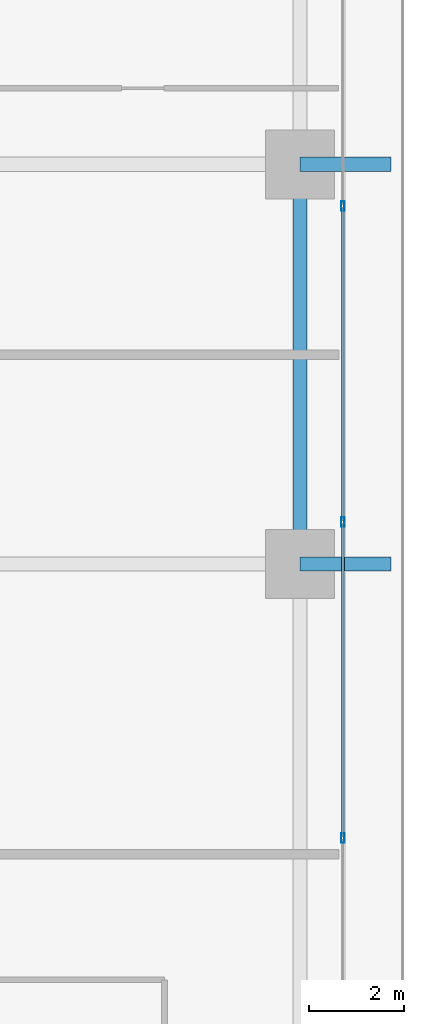
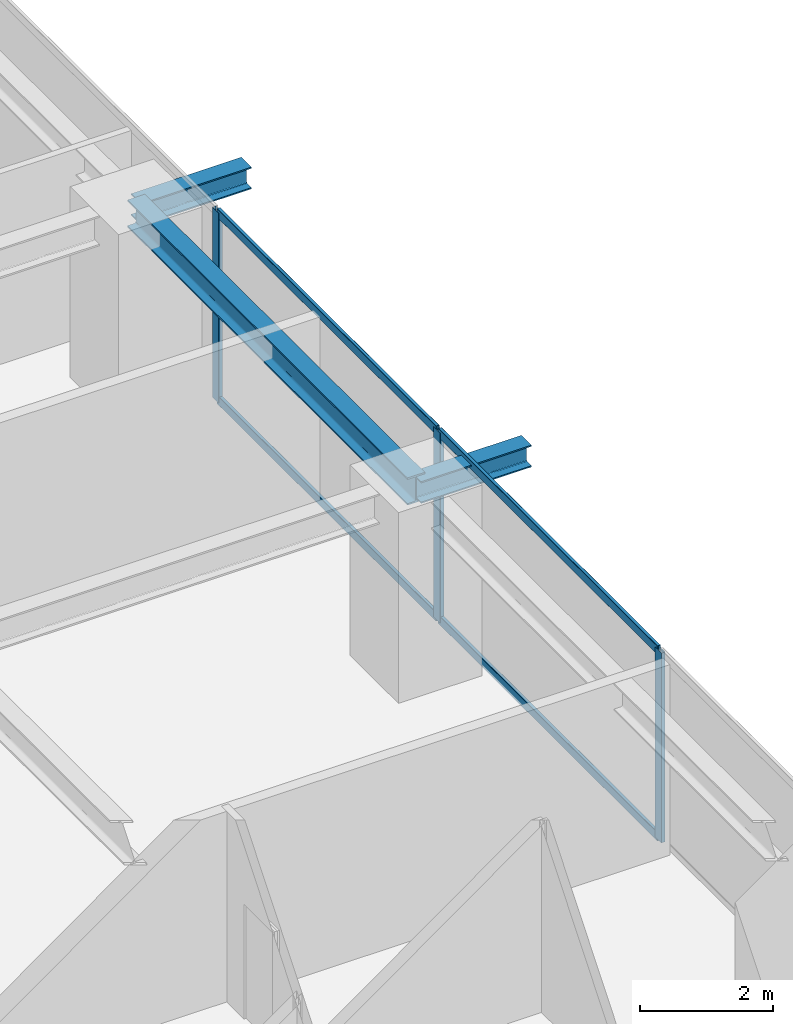
# One storey, part 14 of 34: 7 members, 3 beams, 1 element without a shape of its own.
"""IFC4 building model written with IfcOpenShell, lengths in metres."""

from ifc_helpers import new_model, si_unit, direction, frame, origin, origin_2d, place, context, subcontext, project, spatial, hollow_rectangle, i_section, extrude, source, transform, mapped, material, layer, layer_set, material_profile, profile_set, type_object, element, aggregate, save


model = new_model("IFC4")

# Units and contexts
model_context = context("Model", 3, precision=1e-05, world=origin(), true_north=direction((0.0, 1.0)))
body_context = subcontext(model_context, "Body", "Model", "MODEL_VIEW")
ifc_project = project(units=[si_unit("LENGTHUNIT", "METRE"), si_unit("AREAUNIT", "SQUARE_METRE"), si_unit("VOLUMEUNIT", "CUBIC_METRE"), si_unit("PLANEANGLEUNIT", "RADIAN"), si_unit("MASSUNIT", "GRAM", prefix="KILO")], contexts=[model_context])

# Site, building, storey
site_placement = place(None, origin())
site = spatial("IfcSite", under=ifc_project, at=site_placement, CompositionType="ELEMENT")
building_placement = place(site_placement, origin())
building = spatial("IfcBuilding", under=site, at=building_placement, Name="Serunith Strait Residences", CompositionType="ELEMENT")
storey_placement = place(building_placement, frame((0.0, 0.0, 101.699951171875)))
storey = spatial("IfcBuildingStorey", under=building, at=storey_placement, Name="L25", CompositionType="ELEMENT", Elevation=101.699951171875)

# Beams
ifc_material_1 = material(Name="Steel S355J2", Category="steel")
ifc_material_profile_1 = material_profile(ifc_material_1, i_section(OverallWidth=0.300048828125, OverallDepth=0.5, WebThickness=0.014404296875, FlangeThickness=0.028076171875, FilletRadius=0.027099609375, at=origin_2d()), Name="HEB 500")
ifc_profile_set_1 = profile_set([ifc_material_profile_1], Name="Steel S355J2")
beam_type_1 = type_object("IfcBeamType", Name="BM-HEB500", PredefinedType="BEAM", material=ifc_profile_set_1)
shared_shape_1 = source(origin(), body_context, "Body", "SweptSolid", [
    extrude(i_section(OverallWidth=0.300048828125, OverallDepth=0.5, WebThickness=0.014404296875, FlangeThickness=0.028076171875, FilletRadius=0.027099609375, at=origin_2d()), origin(), (0.0, 0.0, 1.0), 8.39990234375),
])
beam_placement = place(storey_placement, frame((57.89990234375, 21.0, 3.237060546875), z_axis=(0.0, 1.0, 0.0), x_axis=(-1.0, 0.0, 0.0)))
element("IfcBeam", 1, at=beam_placement, inside=storey, type_object=beam_type_1, Name="L25 Perimeter Ring Beam 06", PredefinedType="BEAM", context=body_context, shape_type="MappedRepresentation", body=[
    mapped(shared_shape_1, transform((0.0, 0.0, 0.0), scale=1.0)),
])
ifc_material_profile_2 = material_profile(ifc_material_1, i_section(OverallWidth=0.300048828125, OverallDepth=0.39990234375, WebThickness=0.013427734375, FlangeThickness=0.02392578125, FilletRadius=0.027099609375, at=origin_2d()), Name="HEB 400")
ifc_profile_set_2 = profile_set([ifc_material_profile_2], Name="Steel S355J2")
beam_type_2 = type_object("IfcBeamType", Name="BM-HEB400", PredefinedType="BEAM", material=ifc_profile_set_2)
shared_shape_2 = source(origin(), body_context, "Body", "SweptSolid", [
    extrude(i_section(OverallWidth=0.300048828125, OverallDepth=0.39990234375, WebThickness=0.013427734375, FlangeThickness=0.02392578125, FilletRadius=0.027099609375, at=origin_2d()), origin(), (0.0, 0.0, 1.0), 1.91015625),
])
for number, where, z_axis, x_axis, name in (
    (2, (57.89990234375, 21.0, 3.257080078125), (1.0, 0.0, 0.0), (0.0, 1.0, 0.0), "L26 Cantilevered Balcony Rib TC-E2"),
    (3, (57.89990234375, 29.39990234375, 3.257080078125), (1.0, 0.0, 0.0), (0.0, 1.0, 0.0), "L26 Cantilevered Balcony Rib TC-E3"),
):
    element("IfcBeam", number, at=place(storey_placement, frame(where, z_axis=z_axis, x_axis=x_axis)), inside=storey, type_object=beam_type_2, Name=name, PredefinedType="BEAM", context=body_context, shape_type="MappedRepresentation", body=[
        mapped(shared_shape_2, transform((0.0, 0.0, 0.0), scale=1.0)),
    ])

# Curtain wall, members
ifc_material_2 = material(Name="Pale-Champagne Anodised Aluminium", Category="aluminium")
ifc_layer = layer(ifc_material_2, 0.199951171875, Name="Pale-Champagne Anodised Aluminium")
ifc_layer_set = layer_set([ifc_layer], Name="Pale-Champagne Anodised Aluminium")
curtain_wall_type = type_object("IfcCurtainWallType", Name="CW-SYS1", PredefinedType="NOTDEFINED", material=ifc_layer_set)
curtain_wall_placement = place(storey_placement, origin())
curtain_wall = element("IfcCurtainWall", 4, at=curtain_wall_placement, inside=storey, type_object=curtain_wall_type, Name="L25 E Unitised Fritted Curtain Wall", PredefinedType="NOTDEFINED")
ifc_material_profile_3 = material_profile(ifc_material_2, hollow_rectangle(XDim=0.070068359375, YDim=0.199951171875, WallThickness=0.00390625, InnerFilletRadius=0.006103515625, OuterFilletRadius=0.010009765625, at=origin_2d()), Name="ALU 200x70x4")
ifc_profile_set_3 = profile_set([ifc_material_profile_3], Name="Pale-Champagne Anodised Aluminium")
member_type_1 = type_object("IfcMemberType", Name="CW-SYS1-MULL", PredefinedType="MULLION", material=ifc_profile_set_3)
shared_shape_3 = source(origin(), body_context, "Body", "SweptSolid", [
    extrude(hollow_rectangle(XDim=0.070068359375, YDim=0.199951171875, WallThickness=0.00390625, InnerFilletRadius=0.006103515625, OuterFilletRadius=0.010009765625, at=origin_2d()), origin(), (0.0, 0.0, 1.0), 3.47509765625),
])
member_1_placement = place(storey_placement, frame((58.800048828125, 15.239990234375, 0.0), z_axis=(0.0, 0.0, 1.0), x_axis=(-1.0, 0.0, 0.0)))
member_1 = element("IfcMember", 5, at=member_1_placement, type_object=member_type_1, Name="CW-1 mullion 2", PredefinedType="MULLION", context=body_context, shape_type="MappedRepresentation", body=[
    mapped(shared_shape_3, transform((0.0, 0.0, 0.0), scale=1.0)),
])
member_2_placement = place(storey_placement, frame((58.800048828125, 21.8798828125, 0.0), z_axis=(0.0, 0.0, 1.0), x_axis=(-1.0, 0.0, 0.0)))
member_2 = element("IfcMember", 6, at=member_2_placement, type_object=member_type_1, Name="CW-1 mullion 3", PredefinedType="MULLION", context=body_context, shape_type="MappedRepresentation", body=[
    mapped(shared_shape_3, transform((0.0, 0.0, 0.0), scale=1.0)),
])
member_3_placement = place(storey_placement, frame((58.800048828125, 28.52001953125, 0.0), z_axis=(0.0, 0.0, 1.0), x_axis=(-1.0, 0.0, 0.0)))
member_3 = element("IfcMember", 7, at=member_3_placement, type_object=member_type_1, Name="CW-1 mullion 4", PredefinedType="MULLION", context=body_context, shape_type="MappedRepresentation", body=[
    mapped(shared_shape_3, transform((0.0, 0.0, 0.0), scale=1.0)),
])
ifc_material_profile_4 = material_profile(ifc_material_2, hollow_rectangle(XDim=0.06005859375, YDim=0.159912109375, WallThickness=0.00341796875, InnerFilletRadius=0.00537109375, OuterFilletRadius=0.0087890625, at=origin_2d()), Name="ALU 160x60x3.5")
ifc_profile_set_4 = profile_set([ifc_material_profile_4], Name="Pale-Champagne Anodised Aluminium")
member_type_2 = type_object("IfcMemberType", Name="CW-SYS1-TRAN", PredefinedType="USERDEFINED", material=ifc_profile_set_4)
shared_shape_4 = source(origin(), body_context, "Body", "SweptSolid", [
    extrude(hollow_rectangle(XDim=0.06005859375, YDim=0.159912109375, WallThickness=0.00341796875, InnerFilletRadius=0.00537109375, OuterFilletRadius=0.0087890625, at=origin_2d()), origin(), (0.0, 0.0, 1.0), 6.570068359375),
])
member_4_placement = place(storey_placement, frame((58.800048828125, 15.27490234375, 0.030029296875), z_axis=(0.0, 1.0, 0.0), x_axis=(-1.0, 0.0, 0.0)))
member_4 = element("IfcMember", 8, at=member_4_placement, type_object=member_type_2, Name="CW-1 transom 2.1", ObjectType="TRANSOM", PredefinedType="USERDEFINED", context=body_context, shape_type="MappedRepresentation", body=[
    mapped(shared_shape_4, transform((0.0, 0.0, 0.0), scale=1.0)),
])
member_5_placement = place(storey_placement, frame((58.800048828125, 15.27490234375, 3.445068359375), z_axis=(0.0, 1.0, 0.0), x_axis=(-1.0, 0.0, 0.0)))
member_5 = element("IfcMember", 9, at=member_5_placement, type_object=member_type_2, Name="CW-1 transom 2.2", ObjectType="TRANSOM", PredefinedType="USERDEFINED", context=body_context, shape_type="MappedRepresentation", body=[
    mapped(shared_shape_4, transform((0.0, 0.0, 0.0), scale=1.0)),
])
member_6_placement = place(storey_placement, frame((58.800048828125, 21.9150390625, 0.030029296875), z_axis=(0.0, 1.0, 0.0), x_axis=(-1.0, 0.0, 0.0)))
member_6 = element("IfcMember", 10, at=member_6_placement, type_object=member_type_2, Name="CW-1 transom 3.1", ObjectType="TRANSOM", PredefinedType="USERDEFINED", context=body_context, shape_type="MappedRepresentation", body=[
    mapped(shared_shape_4, transform((0.0, 0.0, 0.0), scale=1.0)),
])
member_7_placement = place(storey_placement, frame((58.800048828125, 21.9150390625, 3.445068359375), z_axis=(0.0, 1.0, 0.0), x_axis=(-1.0, 0.0, 0.0)))
member_7 = element("IfcMember", 11, at=member_7_placement, type_object=member_type_2, Name="CW-1 transom 3.2", ObjectType="TRANSOM", PredefinedType="USERDEFINED", context=body_context, shape_type="MappedRepresentation", body=[
    mapped(shared_shape_4, transform((0.0, 0.0, 0.0), scale=1.0)),
])
aggregate(curtain_wall, [member_1, member_2, member_3, member_4, member_5, member_6, member_7])

save(model, "model.ifc")
